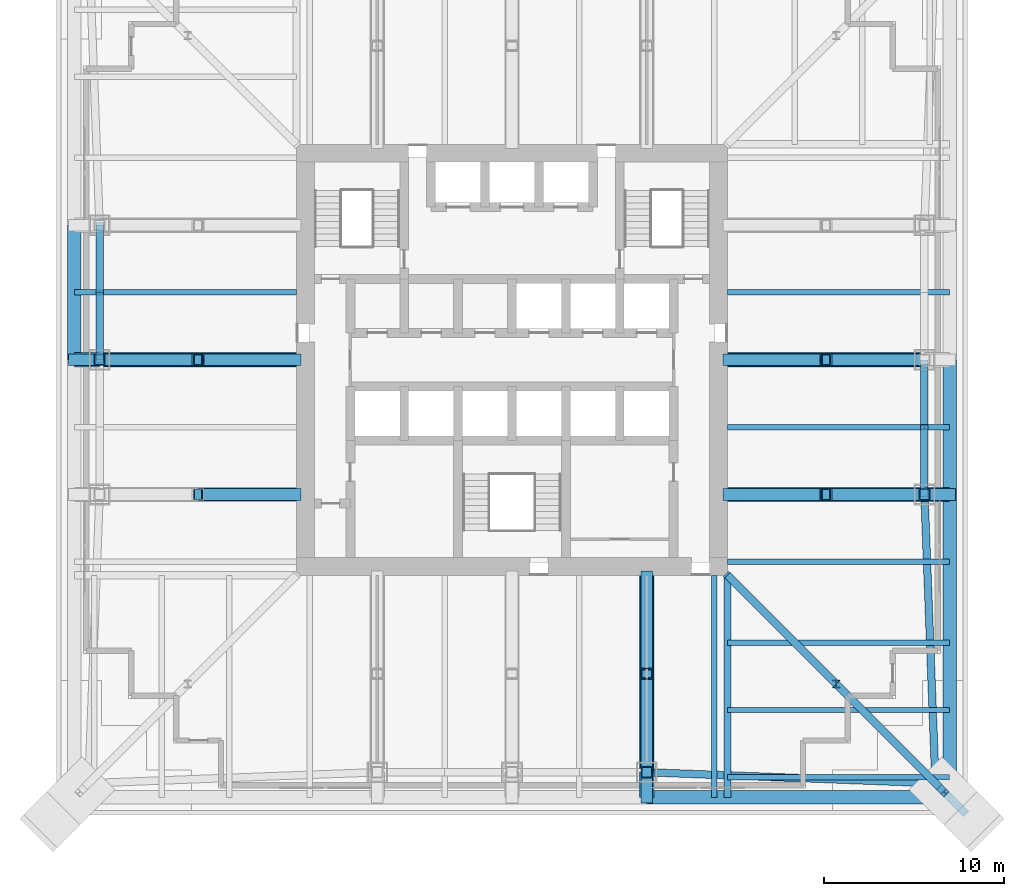
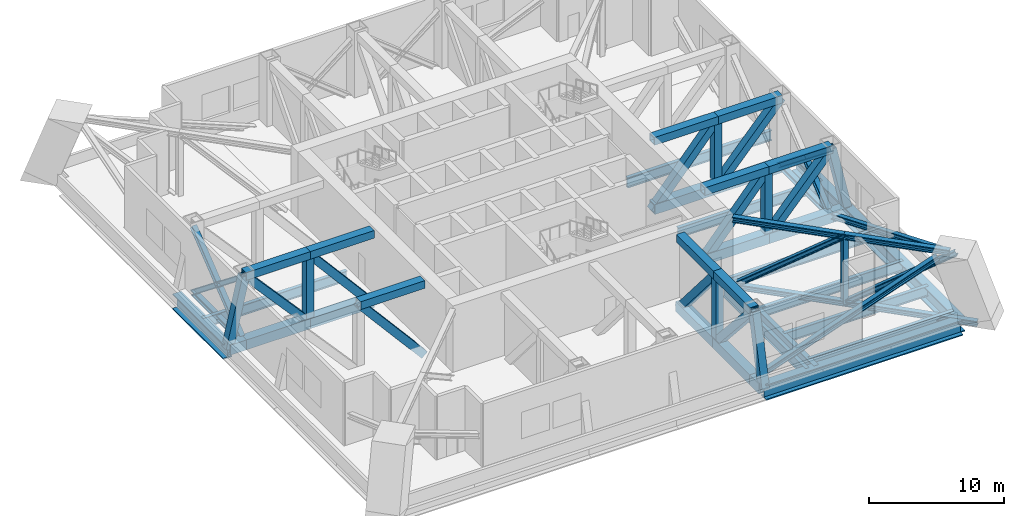
# One storey, part 2 of 10: 54 members, 13 beams.
"""IFC4 building model written with IfcOpenShell, lengths in metres."""

import ifcopenshell
import ifcopenshell.guid

model = None  # the IFC model being written
_history = None  # IfcOwnerHistory: only IFC2X3 demands one
_inside = {}  # id of a spatial element -> (the spatial element, [elements in it])
_under = {}  # id of a project, library or spatial element -> (it, [spatial elements below it])
_declared = {}  # id of a project -> (the project, [libraries it declares])
_typed = {}  # id of a type object -> (the type object, [elements of that type])
_made_of = {}  # id of a material, layer set ... -> (it, [elements and type objects made of it])


def new_model(schema):
    """Start an empty IFC model of exactly this schema.

    Asked for "IFC4X3", IfcOpenShell would pick the latest addendum, in which some entities
    have other attributes; the version numbers below select the first issue.
    IFC2X3 requires an IfcOwnerHistory on every rooted entity: one is made here for all.
    """
    global model, _history
    if schema == "IFC4X3":
        model = ifcopenshell.file(schema_version=(4, 3, 0, 0))
    else:
        model = ifcopenshell.file(schema=schema)
    _inside.clear()
    _under.clear()
    _declared.clear()
    _typed.clear()
    _made_of.clear()
    _history = None
    if model.schema == "IFC2X3":
        org = make("IfcOrganization", Name="unknown")
        user = make(
            "IfcPersonAndOrganization",
            ThePerson=make("IfcPerson", FamilyName="unknown"),
            TheOrganization=org,
        )
        app = make(
            "IfcApplication",
            ApplicationDeveloper=org,
            Version="unknown",
            ApplicationFullName="unknown",
            ApplicationIdentifier="unknown",
        )
        _history = make(
            "IfcOwnerHistory",
            OwningUser=user,
            OwningApplication=app,
            ChangeAction="ADDED",
            CreationDate=0,
        )
    return model


def make(cls, **values):
    """One entity of the class cls with the attributes given. An attribute that is None is left unset."""
    return model.create_entity(
        cls, **{name: value for name, value in values.items() if value is not None}
    )


def rooted(cls, **values):
    """An entity with a GlobalId (a new one), such as an element, a storey or a relation."""
    return make(cls, GlobalId=ifcopenshell.guid.new(), OwnerHistory=_history, **values)


def si_unit(unit_type, name, prefix=None):
    """IfcSIUnit, for example si_unit("LENGTHUNIT", "METRE", prefix="MILLI")."""
    return make("IfcSIUnit", UnitType=unit_type, Prefix=prefix, Name=name)


def assignment(units):
    """IfcUnitAssignment: the units of a project."""
    return None if units is None else make("IfcUnitAssignment", Units=units)


def point(xyz):
    """IfcCartesianPoint."""
    return None if xyz is None else make("IfcCartesianPoint", Coordinates=xyz)


def direction(xyz):
    """IfcDirection."""
    return None if xyz is None else make("IfcDirection", DirectionRatios=xyz)


def frame(location, z_axis=None, x_axis=None):
    """IfcAxis2Placement3D, a coordinate frame: its origin and axes. An axis left out is left unset."""
    return make(
        "IfcAxis2Placement3D",
        Location=point(location),
        Axis=direction(z_axis),
        RefDirection=direction(x_axis),
    )


def frame_2d(location, x_axis=None):
    """IfcAxis2Placement2D, a coordinate frame in the plane: its origin and x axis."""
    return make(
        "IfcAxis2Placement2D", Location=point(location), RefDirection=direction(x_axis)
    )


def origin():
    """The frame at (0, 0, 0) with its axes left unset."""
    return frame((0.0, 0.0, 0.0))


def origin_2d():
    """The frame at (0, 0) in the plane with its x axis left unset."""
    return frame_2d((0.0, 0.0))


def place(relative_to, where):
    """IfcLocalPlacement: puts the frame where relative to a parent placement (None: the world)."""
    return make(
        "IfcLocalPlacement", PlacementRelTo=relative_to, RelativePlacement=where
    )


def context(
    kind, dimensions, precision=None, world=None, true_north=None, identifier=None
):
    """IfcGeometricRepresentationContext, for example the 3D "Model" context."""
    return make(
        "IfcGeometricRepresentationContext",
        ContextIdentifier=identifier,
        ContextType=kind,
        CoordinateSpaceDimension=dimensions,
        Precision=precision,
        WorldCoordinateSystem=world,
        TrueNorth=true_north,
    )


def subcontext(parent, identifier, kind, view, scale=None):
    """IfcGeometricRepresentationSubContext, for example "Body" below "Model"."""
    return make(
        "IfcGeometricRepresentationSubContext",
        ContextIdentifier=identifier,
        ContextType=kind,
        ParentContext=parent,
        TargetScale=scale,
        TargetView=view,
    )


def project(units=None, contexts=None):
    """IfcProject with its units and contexts."""
    return rooted(
        "IfcProject",
        Name="project",
        RepresentationContexts=contexts,
        UnitsInContext=assignment(units),
    )


def spatial(cls, under=None, at=None, **own):
    """A site, building, storey or space (cls), placed at a placement, below another one or the project."""
    s = rooted(cls, ObjectPlacement=at, **own)
    if under is not None:
        _under.setdefault(under.id(), (under, []))[1].append(s)
    return s


def profile(cls, at=None, kind="AREA", **sizes):
    """A parametric profile (cls). Its sizes go by their IFC names, for example OverallWidth=200.0."""
    return make(cls, ProfileType=kind, Position=at, **sizes)


def hollow_rectangle(**sizes):
    """IfcRectangleHollowProfileDef."""
    return profile("IfcRectangleHollowProfileDef", **sizes)


def i_section(**sizes):
    """IfcIShapeProfileDef."""
    return profile("IfcIShapeProfileDef", **sizes)


def extrude(swept, where, along, depth):
    """IfcExtrudedAreaSolid: the profile swept, set in the frame where, extruded along a direction by depth."""
    return make(
        "IfcExtrudedAreaSolid",
        SweptArea=swept,
        Position=where,
        ExtrudedDirection=direction(along),
        Depth=depth,
    )


def clip(a, b, op="DIFFERENCE"):
    """IfcBooleanClippingResult: the solid a cut by the half space b."""
    return make(
        "IfcBooleanClippingResult", Operator=op, FirstOperand=a, SecondOperand=b
    )


def halfspace(plane, agree):
    """IfcHalfSpaceSolid: all space on one side of the plane z = 0 of the frame plane."""
    return make(
        "IfcHalfSpaceSolid",
        BaseSurface=make("IfcPlane", Position=plane),
        AgreementFlag=agree,
    )


def shape(context_of_items, identifier, shape_type, items):
    """IfcShapeRepresentation: the items that make up one representation, for example the "Body"."""
    return make(
        "IfcShapeRepresentation",
        ContextOfItems=context_of_items,
        RepresentationIdentifier=identifier,
        RepresentationType=shape_type,
        Items=items,
    )


def material(Name=None, Category=None):
    """IfcMaterial."""
    return make("IfcMaterial", Name=Name, Category=Category)


def material_profile(
    of_material, cross_section, Name=None, Category=None, Priority=None
):
    """IfcMaterialProfile: a cross section and its material."""
    return make(
        "IfcMaterialProfile",
        Name=Name,
        Material=of_material,
        Profile=cross_section,
        Priority=Priority,
        Category=Category,
    )


def profile_set(profiles, Name=None, composite=None):
    """IfcMaterialProfileSet."""
    return make(
        "IfcMaterialProfileSet",
        Name=Name,
        MaterialProfiles=profiles,
        CompositeProfile=composite,
    )


def made_of(thing, what):
    """Note that an element or type object is made of a material, layer set ...; save() writes the relation."""
    if what is not None:
        _made_of.setdefault(what.id(), (what, []))[1].append(thing)
    return thing


def type_object(cls, material=None, **own):
    """A type object (cls), such as IfcWallType, which elements share."""
    return made_of(rooted(cls, **own), material)


def element(
    cls,
    number,
    at=None,
    inside=None,
    cuts=None,
    type_object=None,
    material=None,
    context=None,
    identifier="Body",
    shape_type=None,
    held_by="IfcProductDefinitionShape",
    body=None,
    shapes=None,
    **own,
):
    """One element of the class cls, such as IfcWall. Its Tag is "e" and its number.

    at: its placement. inside: the storey or other place that contains it. cuts: it is an
    opening in that element (IfcRelVoidsElement). A single representation is given by context,
    identifier, shape_type and body (its items); several are given by shapes. held_by: the class
    of the entity that holds the representations. save() writes the other relations.
    """
    e = rooted(cls, Tag="e%d" % number, ObjectPlacement=at, **own)
    if body is not None:
        shapes = [shape(context, identifier, shape_type, body)]
    if shapes is not None:
        e.Representation = make(held_by, Representations=shapes)
    if inside is not None:
        _inside.setdefault(inside.id(), (inside, []))[1].append(e)
    if cuts is not None:
        rooted(
            "IfcRelVoidsElement", RelatingBuildingElement=cuts, RelatedOpeningElement=e
        )
    if type_object is not None:
        _typed.setdefault(type_object.id(), (type_object, []))[1].append(e)
    return made_of(e, material)


def aggregate(whole, parts):
    """IfcRelAggregates: a whole, such as a stair, and the parts it consists of."""
    return rooted("IfcRelAggregates", RelatingObject=whole, RelatedObjects=parts)


def save(model, path):
    """Write the relations noted so far, then the file.

    IfcRelAggregates (storeys below a building ...), IfcRelContainedInSpatialStructure (elements
    in a storey), IfcRelDefinesByType, IfcRelAssociatesMaterial and IfcRelDeclares: one each for
    every whole, place, type object, material and project.
    """
    for whole, parts in _under.values():
        aggregate(whole, parts)
    for where, things in _inside.values():
        rooted(
            "IfcRelContainedInSpatialStructure",
            RelatedElements=things,
            RelatingStructure=where,
        )
    for kind, things in _typed.values():
        rooted("IfcRelDefinesByType", RelatedObjects=things, RelatingType=kind)
    for what, things in _made_of.values():
        rooted("IfcRelAssociatesMaterial", RelatedObjects=things, RelatingMaterial=what)
    for by, libraries in _declared.values():
        rooted("IfcRelDeclares", RelatingContext=by, RelatedDefinitions=libraries)
    model.write(path)


model = new_model("IFC4")

# Units and contexts
model_context = context("Model", 3, precision=1e-05, world=origin(), true_north=direction((0.0, 1.0)))
body_context = subcontext(model_context, "Body", "Model", "MODEL_VIEW")
ifc_project = project(units=[si_unit("LENGTHUNIT", "METRE"), si_unit("AREAUNIT", "SQUARE_METRE"), si_unit("VOLUMEUNIT", "CUBIC_METRE"), si_unit("PLANEANGLEUNIT", "RADIAN"), si_unit("MASSUNIT", "GRAM", prefix="KILO")], contexts=[model_context])

# Site, building, storey
site_placement = place(None, origin())
site = spatial("IfcSite", under=ifc_project, at=site_placement, CompositionType="ELEMENT")
building_placement = place(site_placement, origin())
building = spatial("IfcBuilding", under=site, at=building_placement, Name="Tarangal Relay Tower", CompositionType="ELEMENT")
storey_placement = place(building_placement, frame((0.0, 0.0, 98.39990234375)))
storey = spatial("IfcBuildingStorey", under=building, at=storey_placement, Name="L19", CompositionType="ELEMENT", Elevation=98.39990234375)

# Members
ifc_material_1 = material(Name="Steel ASTM A992", Category="steel")
ifc_material_profile_1 = material_profile(ifc_material_1, i_section(OverallWidth=0.419189453125, OverallDepth=0.45458984375, WebThickness=0.042236328125, FlangeThickness=0.067626953125, at=origin_2d()), Name="W14X370")
ifc_profile_set_1 = profile_set([ifc_material_profile_1], Name="Steel ASTM A992")
member_type_1 = type_object("IfcMemberType", Name="Belt truss brace W14X370", PredefinedType="BRACE", material=ifc_profile_set_1)
for number, where, z_axis, x_axis, name in (
    (1, (22.965087890625, 0.0, -0.699951171875), (0.0, -0.782630390083, 0.622486684612), (1.0, 0.0, 0.0), "Belt truss E L19 brace"),
    (2, (22.965087890625, -3.75, 2.28271484375), (0.0, -0.782630390083, 0.622486684612), (1.0, 0.0, 0.0), "Belt truss E L19 brace"),
    (3, (22.965087890625, -7.5, -0.699951171875), (0.0, 0.782630390083, 0.622486684612), (-1.0, 0.0, 0.0), "Belt truss E L19 brace"),
):
    element("IfcMember", number, at=place(storey_placement, frame(where, z_axis=z_axis, x_axis=x_axis)), inside=storey, type_object=member_type_1, Name=name, PredefinedType="BRACE", context=body_context, shape_type="SweptSolid", body=[
        extrude(i_section(OverallWidth=0.419189453125, OverallDepth=0.45458984375, WebThickness=0.042236328125, FlangeThickness=0.067626953125, at=origin_2d()), origin(), (0.0, 0.0, 1.0), 4.79150390625),
    ])
for number, where, z_axis, x_axis, name in (
    (4, (22.965087890625, -7.5, -0.699951171875), (0.035497655661, -0.931502338088, 0.36199904776), (0.999274681512, 0.038080321546, 0.0), "Belt truss E L19 end brace"),
    (5, (7.5, -22.965087890625, -0.699951171875), (0.931502338088, -0.035497655661, 0.36199904776), (0.038080321546, 0.999274681512, 0.0), "Belt truss S L19 end brace"),
):
    element("IfcMember", number, at=place(storey_placement, frame(where, z_axis=z_axis, x_axis=x_axis)), inside=storey, type_object=member_type_1, Name=name, PredefinedType="BRACE", context=body_context, shape_type="SweptSolid", body=[
        extrude(i_section(OverallWidth=0.419189453125, OverallDepth=0.45458984375, WebThickness=0.042236328125, FlangeThickness=0.067626953125, at=origin_2d()), origin(), (0.0, 0.0, 1.0), 16.478759765625),
    ])
for number, where, z_axis, x_axis, name in (
    (6, (-22.965087890625, 0.0, -0.699951171875), (0.0, 0.782630390083, 0.622486684612), (-1.0, 0.0, 0.0), "Belt truss W L19 brace"),
    (7, (-22.965087890625, 3.75, 2.28271484375), (0.0, 0.782630390083, 0.622486684612), (-1.0, 0.0, 0.0), "Belt truss W L19 brace"),
    (8, (-22.965087890625, 7.5, -0.699951171875), (0.0, -0.782630390083, 0.622486684612), (1.0, 0.0, 0.0), "Belt truss W L19 brace"),
    (9, (-22.965087890625, 3.75, 2.28271484375), (0.0, -0.782630390083, 0.622486684612), (1.0, 0.0, 0.0), "Belt truss W L19 brace"),
):
    element("IfcMember", number, at=place(storey_placement, frame(where, z_axis=z_axis, x_axis=x_axis)), inside=storey, type_object=member_type_1, Name=name, PredefinedType="BRACE", context=body_context, shape_type="SweptSolid", body=[
        extrude(i_section(OverallWidth=0.419189453125, OverallDepth=0.45458984375, WebThickness=0.042236328125, FlangeThickness=0.067626953125, at=origin_2d()), origin(), (0.0, 0.0, 1.0), 4.79150390625),
    ])
ifc_material_profile_2 = material_profile(ifc_material_1, i_section(OverallWidth=0.421630859375, OverallDepth=0.46484375, WebThickness=0.044921875, FlangeThickness=0.072509765625, at=origin_2d()), Name="W14X398")
ifc_profile_set_2 = profile_set([ifc_material_profile_2], Name="Steel ASTM A992")
member_type_2 = type_object("IfcMemberType", Name="Belt truss chord W14X398", PredefinedType="CHORD", material=ifc_profile_set_2)
for number, where, z_axis, x_axis, name in (
    (10, (22.965087890625, 0.0, -0.699951171875), (0.0, -1.0, 0.0), (1.0, 0.0, 0.0), "Belt truss E L19 bottom chord"),
    (11, (-22.965087890625, 0.0, -0.699951171875), (0.0, 1.0, 0.0), (-1.0, 0.0, 0.0), "Belt truss W L19 bottom chord"),
):
    element("IfcMember", number, at=place(storey_placement, frame(where, z_axis=z_axis, x_axis=x_axis)), inside=storey, type_object=member_type_2, Name=name, PredefinedType="CHORD", context=body_context, shape_type="SweptSolid", body=[
        extrude(i_section(OverallWidth=0.421630859375, OverallDepth=0.46484375, WebThickness=0.044921875, FlangeThickness=0.072509765625, at=origin_2d()), origin(), (0.0, 0.0, 1.0), 7.5),
    ])

# Beams
ifc_material_profile_3 = material_profile(ifc_material_1, i_section(OverallWidth=0.3046875, OverallDepth=0.911865234375, WebThickness=0.015869140625, FlangeThickness=0.02392578125, at=origin_2d()), Name="W36X150")
ifc_profile_set_3 = profile_set([ifc_material_profile_3], Name="Steel ASTM A992")
beam_type_1 = type_object("IfcBeamType", Name="Corner beam W36X150", PredefinedType="JOIST", material=ifc_profile_set_3)
for number, where, z_axis, x_axis, name in (
    (12, (12.0, -15.75, -0.705810546875), (1.0, 0.0, 0.0), (0.0, 1.0, 0.0), "Corner beam CB7 E L19"),
    (13, (12.0, -19.5, -0.705810546875), (1.0, 0.0, 0.0), (0.0, 1.0, 0.0), "Corner beam CB7 E L19"),
    (14, (12.0, -23.25, -0.705810546875), (1.0, 0.0, 0.0), (0.0, 1.0, 0.0), "Corner beam CB7 E L19"),
):
    element("IfcBeam", number, at=place(storey_placement, frame(where, z_axis=z_axis, x_axis=x_axis)), inside=storey, type_object=beam_type_1, Name=name, PredefinedType="JOIST", context=body_context, shape_type="SweptSolid", body=[
        extrude(i_section(OverallWidth=0.3046875, OverallDepth=0.911865234375, WebThickness=0.015869140625, FlangeThickness=0.02392578125, at=origin_2d()), origin(), (0.0, 0.0, 1.0), 12.364990234375),
    ])
ifc_material_profile_4 = material_profile(ifc_material_1, i_section(OverallWidth=0.40380859375, OverallDepth=1.036376953125, WebThickness=0.031005859375, FlangeThickness=0.0458984375, at=origin_2d()), Name="W40X331")
ifc_profile_set_4 = profile_set([ifc_material_profile_4], Name="Steel ASTM A992")
beam_type_2 = type_object("IfcBeamType", Name="Corner girder W40X331", PredefinedType="BEAM", material=ifc_profile_set_4)
beam_1_placement = place(storey_placement, frame((12.0, -12.0, -0.76806640625), z_axis=(0.0, -1.0, 0.0), x_axis=(1.0, 0.0, 0.0)))
element("IfcBeam", 15, at=beam_1_placement, inside=storey, type_object=beam_type_2, Name="Corner girder CG2 E L19", PredefinedType="BEAM", context=body_context, shape_type="SweptSolid", body=[
    extrude(i_section(OverallWidth=0.40380859375, OverallDepth=1.036376953125, WebThickness=0.031005859375, FlangeThickness=0.0458984375, at=origin_2d()), origin(), (0.0, 0.0, 1.0), 12.364990234375),
])
ifc_material_2 = material(Name="Steel ASTM A572 Grade 50", Category="steel")
ifc_material_profile_5 = material_profile(ifc_material_2, i_section(OverallWidth=0.75, OverallDepth=1.39990234375, WebThickness=0.030029296875, FlangeThickness=0.10009765625, at=origin_2d()), Name="PG1400X750X100X30")
ifc_profile_set_5 = profile_set([ifc_material_profile_5], Name="Steel ASTM A572 Grade 50")
beam_type_3 = type_object("IfcBeamType", Name="Edge girder PG1400X750X100X30", PredefinedType="SPANDREL", material=ifc_profile_set_5)
beam_2_placement = place(storey_placement, frame((24.364990234375, 0.0, -0.949951171875), z_axis=(0.0, -1.0, 0.0), x_axis=(1.0, 0.0, 0.0)))
element("IfcBeam", 16, at=beam_2_placement, inside=storey, type_object=beam_type_3, Name="Edge girder EG11 E L19", PredefinedType="SPANDREL", context=body_context, shape_type="SweptSolid", body=[
    extrude(i_section(OverallWidth=0.75, OverallDepth=1.39990234375, WebThickness=0.030029296875, FlangeThickness=0.10009765625, at=origin_2d()), origin(), (0.0, 0.0, 1.0), 7.5),
])
for number, where, z_axis, x_axis, name in (
    (17, (24.364990234375, -7.5, -0.949951171875), (0.0, -1.0, 0.0), (1.0, 0.0, 0.0), "Edge girder EG11 E L19"),
    (18, (24.35009765625, -24.364990234375, -0.949951171875), (-1.0, 0.0, 0.0), (0.0, -1.0, 0.0), "Edge girder EG11 S L19"),
):
    element("IfcBeam", number, at=place(storey_placement, frame(where, z_axis=z_axis, x_axis=x_axis)), inside=storey, type_object=beam_type_3, Name=name, PredefinedType="SPANDREL", context=body_context, shape_type="SweptSolid", body=[
        extrude(i_section(OverallWidth=0.75, OverallDepth=1.39990234375, WebThickness=0.030029296875, FlangeThickness=0.10009765625, at=origin_2d()), origin(), (0.0, 0.0, 1.0), 16.85009765625),
    ])
beam_3_placement = place(storey_placement, frame((-24.364990234375, 0.0, -0.949951171875), z_axis=(0.0, 1.0, 0.0), x_axis=(-1.0, 0.0, 0.0)))
element("IfcBeam", 19, at=beam_3_placement, inside=storey, type_object=beam_type_3, Name="Edge girder EG11 W L19", PredefinedType="SPANDREL", context=body_context, shape_type="SweptSolid", body=[
    extrude(i_section(OverallWidth=0.75, OverallDepth=1.39990234375, WebThickness=0.030029296875, FlangeThickness=0.10009765625, at=origin_2d()), origin(), (0.0, 0.0, 1.0), 7.5),
])
ifc_material_profile_6 = material_profile(ifc_material_1, i_section(OverallWidth=0.307373046875, OverallDepth=0.927001953125, WebThickness=0.019287109375, FlangeThickness=0.031982421875, at=origin_2d()), Name="W36X194")
ifc_profile_set_6 = profile_set([ifc_material_profile_6], Name="Steel ASTM A992")
beam_type_4 = type_object("IfcBeamType", Name="Floor beam W36X194", PredefinedType="BEAM", material=ifc_profile_set_6)
for number, where, z_axis, x_axis, name in (
    (20, (12.0, 3.75, -0.71337890625), (1.0, 0.0, 0.0), (0.0, 1.0, 0.0), "Floor beam RB6 E L19"),
    (21, (12.0, -3.75, -0.71337890625), (1.0, 0.0, 0.0), (0.0, 1.0, 0.0), "Floor beam RB6 E L19"),
    (22, (12.0, -11.25, -0.71337890625), (1.0, 0.0, 0.0), (0.0, 1.0, 0.0), "Floor beam RB6 E L19"),
    (23, (11.25, -12.0, -0.71337890625), (0.0, -1.0, 0.0), (1.0, 0.0, 0.0), "Floor beam RB6 S L19"),
    (24, (-12.0, 3.75, -0.71337890625), (-1.0, 0.0, 0.0), (0.0, -1.0, 0.0), "Floor beam RB6 W L19"),
):
    element("IfcBeam", number, at=place(storey_placement, frame(where, z_axis=z_axis, x_axis=x_axis)), inside=storey, type_object=beam_type_4, Name=name, PredefinedType="BEAM", context=body_context, shape_type="SweptSolid", body=[
        extrude(i_section(OverallWidth=0.307373046875, OverallDepth=0.927001953125, WebThickness=0.019287109375, FlangeThickness=0.031982421875, at=origin_2d()), origin(), (0.0, 0.0, 1.0), 12.364990234375),
    ])

# Members
ifc_material_profile_7 = material_profile(ifc_material_1, i_section(OverallWidth=0.4267578125, OverallDepth=0.482666015625, WebThickness=0.05126953125, FlangeThickness=0.08154296875, at=origin_2d()), Name="W14X455")
ifc_profile_set_7 = profile_set([ifc_material_profile_7], Name="Steel ASTM A992")
member_type_3 = type_object("IfcMemberType", Name="Outrigger chord W14X455", PredefinedType="CHORD", material=ifc_profile_set_7)
member_1_placement = place(storey_placement, frame((12.0, -12.0, -0.4912109375), z_axis=(0.707106781187, -0.707106781187, 0.0), x_axis=(0.707106781187, 0.707106781187, 0.0)))
element("IfcMember", 25, at=member_1_placement, inside=storey, type_object=member_type_3, Name="Outrigger SE L19 bottom chord", PredefinedType="CHORD", context=body_context, shape_type="SweptSolid", body=[
    extrude(i_section(OverallWidth=0.4267578125, OverallDepth=0.482666015625, WebThickness=0.05126953125, FlangeThickness=0.08154296875, at=origin_2d()), origin(), (0.0, 0.0, 1.0), 8.563232421875),
])
member_2_placement = place(storey_placement, frame((18.05517578125, -18.05517578125, -0.4912109375), z_axis=(0.707106781187, -0.707106781187, 0.0), x_axis=(0.707106781187, 0.707106781187, 0.0)))
element("IfcMember", 26, at=member_2_placement, inside=storey, type_object=member_type_3, Name="Outrigger SE L19 bottom chord", PredefinedType="CHORD", context=body_context, shape_type="Clipping", body=[
    clip(extrude(i_section(OverallWidth=0.4267578125, OverallDepth=0.482666015625, WebThickness=0.05126953125, FlangeThickness=0.08154296875, at=origin_2d()), origin(), (0.0, 0.0, 1.0), 10.528564453125), halfspace(frame((0.0, 0.0, 10.23046875)), False)),
])
member_3_placement = place(storey_placement, frame((12.0, -12.0, 5.558837890625), z_axis=(0.707106781187, -0.707106781187, 0.0), x_axis=(0.707106781187, 0.707106781187, 0.0)))
element("IfcMember", 27, at=member_3_placement, inside=storey, type_object=member_type_3, Name="Outrigger SE L19 top chord", PredefinedType="CHORD", context=body_context, shape_type="SweptSolid", body=[
    extrude(i_section(OverallWidth=0.4267578125, OverallDepth=0.482666015625, WebThickness=0.05126953125, FlangeThickness=0.08154296875, at=origin_2d()), origin(), (0.0, 0.0, 1.0), 8.563232421875),
])
member_4_placement = place(storey_placement, frame((18.05517578125, -18.05517578125, 5.558837890625), z_axis=(0.707106781187, -0.707106781187, 0.0), x_axis=(0.707106781187, 0.707106781187, 0.0)))
element("IfcMember", 28, at=member_4_placement, inside=storey, type_object=member_type_3, Name="Outrigger SE L19 top chord", PredefinedType="CHORD", context=body_context, shape_type="Clipping", body=[
    clip(extrude(i_section(OverallWidth=0.4267578125, OverallDepth=0.482666015625, WebThickness=0.05126953125, FlangeThickness=0.08154296875, at=origin_2d()), origin(), (0.0, 0.0, 1.0), 8.563232421875), halfspace(frame((0.0, 0.0, 8.109130859375)), False)),
])
ifc_material_profile_8 = material_profile(ifc_material_1, i_section(OverallWidth=0.41650390625, OverallDepth=0.444580078125, WebThickness=0.0390625, FlangeThickness=0.062744140625, at=origin_2d()), Name="W14X342")
ifc_profile_set_8 = profile_set([ifc_material_profile_8], Name="Steel ASTM A992")
member_type_4 = type_object("IfcMemberType", Name="Outrigger web W14X342", PredefinedType="STRUT", material=ifc_profile_set_8)
member_5_placement = place(storey_placement, frame((18.05517578125, -18.05517578125, -0.4912109375), z_axis=(0.0, 0.0, 1.0), x_axis=(1.0, 0.0, 0.0)))
element("IfcMember", 29, at=member_5_placement, inside=storey, type_object=member_type_4, Name="Outrigger SE L19 vertical", PredefinedType="STRUT", context=body_context, shape_type="SweptSolid", body=[
    extrude(i_section(OverallWidth=0.41650390625, OverallDepth=0.444580078125, WebThickness=0.0390625, FlangeThickness=0.062744140625, at=origin_2d()), origin(), (0.0, 0.0, 1.0), 6.050048828125),
])
for number, where, z_axis, x_axis, name in (
    (30, (12.0, -12.0, -0.4912109375), (0.577513217792, -0.577513217792, 0.577024233937), (0.707106781187, 0.707106781187, 0.0), "Outrigger SE L19 diagonal"),
    (31, (18.05517578125, -18.05517578125, -0.4912109375), (0.577513217792, -0.577513217792, 0.577024233937), (0.707106781187, 0.707106781187, 0.0), "Outrigger SE L19 diagonal"),
):
    element("IfcMember", number, at=place(storey_placement, frame(where, z_axis=z_axis, x_axis=x_axis)), inside=storey, type_object=member_type_4, Name=name, PredefinedType="STRUT", context=body_context, shape_type="SweptSolid", body=[
        extrude(i_section(OverallWidth=0.41650390625, OverallDepth=0.444580078125, WebThickness=0.0390625, FlangeThickness=0.062744140625, at=origin_2d()), origin(), (0.0, 0.0, 1.0), 10.48486328125),
    ])
ifc_material_3 = material(Name="Steel ASTM A572 Grade 42", Category="steel")
ifc_material_profile_9 = material_profile(ifc_material_3, hollow_rectangle(XDim=0.800048828125, YDim=0.89990234375, WallThickness=0.125, at=origin_2d()), Name="BOX900X800X125")
ifc_profile_set_9 = profile_set([ifc_material_profile_9], Name="Steel ASTM A572 Grade 42")
member_type_5 = type_object("IfcMemberType", Name="Transfer truss chord BOX900X800X125", PredefinedType="CHORD", material=ifc_profile_set_9)
member_6_placement = place(storey_placement, frame((12.0, 0.0, -0.699951171875), z_axis=(1.0, 0.0, 0.0), x_axis=(0.0, 1.0, 0.0)))
element("IfcMember", 32, at=member_6_placement, inside=storey, type_object=member_type_5, Name="Transfer truss E +0.0 L19 bottom chord", PredefinedType="CHORD", context=body_context, shape_type="SweptSolid", body=[
    extrude(hollow_rectangle(XDim=0.800048828125, YDim=0.89990234375, WallThickness=0.125, at=origin_2d()), origin(), (0.0, 0.0, 1.0), 5.482421875),
])
member_7_placement = place(storey_placement, frame((17.482421875, 0.0, -0.699951171875), z_axis=(1.0, 0.0, 0.0), x_axis=(0.0, 1.0, 0.0)))
element("IfcMember", 33, at=member_7_placement, inside=storey, type_object=member_type_5, Name="Transfer truss E +0.0 L19 bottom chord", PredefinedType="CHORD", context=body_context, shape_type="SweptSolid", body=[
    extrude(hollow_rectangle(XDim=0.800048828125, YDim=0.89990234375, WallThickness=0.125, at=origin_2d()), origin(), (0.0, 0.0, 1.0), 5.482666015625),
])
member_8_placement = place(storey_placement, frame((12.0, -7.5, -0.699951171875), z_axis=(1.0, 0.0, 0.0), x_axis=(0.0, 1.0, 0.0)))
element("IfcMember", 34, at=member_8_placement, inside=storey, type_object=member_type_5, Name="Transfer truss E +7.5 L19 bottom chord", PredefinedType="CHORD", context=body_context, shape_type="SweptSolid", body=[
    extrude(hollow_rectangle(XDim=0.800048828125, YDim=0.89990234375, WallThickness=0.125, at=origin_2d()), origin(), (0.0, 0.0, 1.0), 5.482421875),
])
member_9_placement = place(storey_placement, frame((17.482421875, -7.5, -0.699951171875), z_axis=(1.0, 0.0, 0.0), x_axis=(0.0, 1.0, 0.0)))
element("IfcMember", 35, at=member_9_placement, inside=storey, type_object=member_type_5, Name="Transfer truss E +7.5 L19 bottom chord", PredefinedType="CHORD", context=body_context, shape_type="SweptSolid", body=[
    extrude(hollow_rectangle(XDim=0.800048828125, YDim=0.89990234375, WallThickness=0.125, at=origin_2d()), origin(), (0.0, 0.0, 1.0), 5.482666015625),
])
member_10_placement = place(storey_placement, frame((22.965087890625, -7.5, -0.699951171875), z_axis=(1.0, 0.0, 0.0), x_axis=(0.0, 1.0, 0.0)))
element("IfcMember", 36, at=member_10_placement, inside=storey, type_object=member_type_5, Name="Transfer truss E +7.5 L19 bottom chord", PredefinedType="CHORD", context=body_context, shape_type="SweptSolid", body=[
    extrude(hollow_rectangle(XDim=0.800048828125, YDim=0.89990234375, WallThickness=0.125, at=origin_2d()), origin(), (0.0, 0.0, 1.0), 1.39990234375),
])
member_11_placement = place(storey_placement, frame((7.5, -12.0, -0.699951171875), z_axis=(0.0, -1.0, 0.0), x_axis=(1.0, 0.0, 0.0)))
element("IfcMember", 37, at=member_11_placement, inside=storey, type_object=member_type_5, Name="Transfer truss S -7.5 L19 bottom chord", PredefinedType="CHORD", context=body_context, shape_type="SweptSolid", body=[
    extrude(hollow_rectangle(XDim=0.800048828125, YDim=0.89990234375, WallThickness=0.125, at=origin_2d()), origin(), (0.0, 0.0, 1.0), 5.482421875),
])
member_12_placement = place(storey_placement, frame((7.5, -17.482421875, -0.699951171875), z_axis=(0.0, -1.0, 0.0), x_axis=(1.0, 0.0, 0.0)))
element("IfcMember", 38, at=member_12_placement, inside=storey, type_object=member_type_5, Name="Transfer truss S -7.5 L19 bottom chord", PredefinedType="CHORD", context=body_context, shape_type="SweptSolid", body=[
    extrude(hollow_rectangle(XDim=0.800048828125, YDim=0.89990234375, WallThickness=0.125, at=origin_2d()), origin(), (0.0, 0.0, 1.0), 5.482666015625),
])
member_13_placement = place(storey_placement, frame((7.5, -22.965087890625, -0.699951171875), z_axis=(0.0, -1.0, 0.0), x_axis=(1.0, 0.0, 0.0)))
element("IfcMember", 39, at=member_13_placement, inside=storey, type_object=member_type_5, Name="Transfer truss S -7.5 L19 bottom chord", PredefinedType="CHORD", context=body_context, shape_type="SweptSolid", body=[
    extrude(hollow_rectangle(XDim=0.800048828125, YDim=0.89990234375, WallThickness=0.125, at=origin_2d()), origin(), (0.0, 0.0, 1.0), 1.39990234375),
])
member_14_placement = place(storey_placement, frame((-12.0, 0.0, -0.699951171875), z_axis=(-1.0, 0.0, 0.0), x_axis=(0.0, -1.0, 0.0)))
element("IfcMember", 40, at=member_14_placement, inside=storey, type_object=member_type_5, Name="Transfer truss W +0.0 L19 bottom chord", PredefinedType="CHORD", context=body_context, shape_type="SweptSolid", body=[
    extrude(hollow_rectangle(XDim=0.800048828125, YDim=0.89990234375, WallThickness=0.125, at=origin_2d()), origin(), (0.0, 0.0, 1.0), 5.482421875),
])
member_15_placement = place(storey_placement, frame((-17.482421875, 0.0, -0.699951171875), z_axis=(-1.0, 0.0, 0.0), x_axis=(0.0, -1.0, 0.0)))
element("IfcMember", 41, at=member_15_placement, inside=storey, type_object=member_type_5, Name="Transfer truss W +0.0 L19 bottom chord", PredefinedType="CHORD", context=body_context, shape_type="SweptSolid", body=[
    extrude(hollow_rectangle(XDim=0.800048828125, YDim=0.89990234375, WallThickness=0.125, at=origin_2d()), origin(), (0.0, 0.0, 1.0), 5.482666015625),
])
member_16_placement = place(storey_placement, frame((-22.965087890625, 0.0, -0.699951171875), z_axis=(-1.0, 0.0, 0.0), x_axis=(0.0, -1.0, 0.0)))
element("IfcMember", 42, at=member_16_placement, inside=storey, type_object=member_type_5, Name="Transfer truss W +0.0 L19 bottom chord", PredefinedType="CHORD", context=body_context, shape_type="SweptSolid", body=[
    extrude(hollow_rectangle(XDim=0.800048828125, YDim=0.89990234375, WallThickness=0.125, at=origin_2d()), origin(), (0.0, 0.0, 1.0), 1.39990234375),
])
ifc_material_profile_10 = material_profile(ifc_material_2, hollow_rectangle(XDim=0.699951171875, YDim=0.699951171875, WallThickness=0.074951171875, at=origin_2d()), Name="BOX700X700X75")
ifc_profile_set_10 = profile_set([ifc_material_profile_10], Name="Steel ASTM A572 Grade 50")
member_type_6 = type_object("IfcMemberType", Name="Transfer truss top chord BOX700X700X75", PredefinedType="CHORD", material=ifc_profile_set_10)
member_17_placement = place(storey_placement, frame((12.0, 0.0, 5.4501953125), z_axis=(1.0, 0.0, 0.0), x_axis=(0.0, 1.0, 0.0)))
element("IfcMember", 43, at=member_17_placement, inside=storey, type_object=member_type_6, Name="Transfer truss E +0.0 L19 top chord", PredefinedType="CHORD", context=body_context, shape_type="SweptSolid", body=[
    extrude(hollow_rectangle(XDim=0.699951171875, YDim=0.699951171875, WallThickness=0.074951171875, at=origin_2d()), origin(), (0.0, 0.0, 1.0), 5.482421875),
])
member_18_placement = place(storey_placement, frame((17.482421875, 0.0, 5.4501953125), z_axis=(1.0, 0.0, 0.0), x_axis=(0.0, 1.0, 0.0)))
element("IfcMember", 44, at=member_18_placement, inside=storey, type_object=member_type_6, Name="Transfer truss E +0.0 L19 top chord", PredefinedType="CHORD", context=body_context, shape_type="SweptSolid", body=[
    extrude(hollow_rectangle(XDim=0.699951171875, YDim=0.699951171875, WallThickness=0.074951171875, at=origin_2d()), origin(), (0.0, 0.0, 1.0), 5.482666015625),
])
member_19_placement = place(storey_placement, frame((12.0, -7.5, 5.4501953125), z_axis=(1.0, 0.0, 0.0), x_axis=(0.0, 1.0, 0.0)))
element("IfcMember", 45, at=member_19_placement, inside=storey, type_object=member_type_6, Name="Transfer truss E +7.5 L19 top chord", PredefinedType="CHORD", context=body_context, shape_type="SweptSolid", body=[
    extrude(hollow_rectangle(XDim=0.699951171875, YDim=0.699951171875, WallThickness=0.074951171875, at=origin_2d()), origin(), (0.0, 0.0, 1.0), 5.482421875),
])
member_20_placement = place(storey_placement, frame((17.482421875, -7.5, 5.4501953125), z_axis=(1.0, 0.0, 0.0), x_axis=(0.0, 1.0, 0.0)))
element("IfcMember", 46, at=member_20_placement, inside=storey, type_object=member_type_6, Name="Transfer truss E +7.5 L19 top chord", PredefinedType="CHORD", context=body_context, shape_type="SweptSolid", body=[
    extrude(hollow_rectangle(XDim=0.699951171875, YDim=0.699951171875, WallThickness=0.074951171875, at=origin_2d()), origin(), (0.0, 0.0, 1.0), 5.482666015625),
])
member_21_placement = place(storey_placement, frame((7.5, -12.0, 5.4501953125), z_axis=(0.0, -1.0, 0.0), x_axis=(1.0, 0.0, 0.0)))
element("IfcMember", 47, at=member_21_placement, inside=storey, type_object=member_type_6, Name="Transfer truss S -7.5 L19 top chord", PredefinedType="CHORD", context=body_context, shape_type="SweptSolid", body=[
    extrude(hollow_rectangle(XDim=0.699951171875, YDim=0.699951171875, WallThickness=0.074951171875, at=origin_2d()), origin(), (0.0, 0.0, 1.0), 5.482421875),
])
member_22_placement = place(storey_placement, frame((7.5, -17.482421875, 5.4501953125), z_axis=(0.0, -1.0, 0.0), x_axis=(1.0, 0.0, 0.0)))
element("IfcMember", 48, at=member_22_placement, inside=storey, type_object=member_type_6, Name="Transfer truss S -7.5 L19 top chord", PredefinedType="CHORD", context=body_context, shape_type="SweptSolid", body=[
    extrude(hollow_rectangle(XDim=0.699951171875, YDim=0.699951171875, WallThickness=0.074951171875, at=origin_2d()), origin(), (0.0, 0.0, 1.0), 5.482666015625),
])
for number, where, z_axis, x_axis, name in (
    (49, (-12.0, -7.5, 5.4501953125), (-1.0, 0.0, 0.0), (0.0, -1.0, 0.0), "Transfer truss W -7.5 L19 top chord"),
    (50, (-12.0, 0.0, 5.4501953125), (-1.0, 0.0, 0.0), (0.0, -1.0, 0.0), "Transfer truss W +0.0 L19 top chord"),
):
    element("IfcMember", number, at=place(storey_placement, frame(where, z_axis=z_axis, x_axis=x_axis)), inside=storey, type_object=member_type_6, Name=name, PredefinedType="CHORD", context=body_context, shape_type="SweptSolid", body=[
        extrude(hollow_rectangle(XDim=0.699951171875, YDim=0.699951171875, WallThickness=0.074951171875, at=origin_2d()), origin(), (0.0, 0.0, 1.0), 5.482421875),
    ])
member_23_placement = place(storey_placement, frame((-17.482421875, 0.0, 5.4501953125), z_axis=(-1.0, 0.0, 0.0), x_axis=(0.0, -1.0, 0.0)))
element("IfcMember", 51, at=member_23_placement, inside=storey, type_object=member_type_6, Name="Transfer truss W +0.0 L19 top chord", PredefinedType="CHORD", context=body_context, shape_type="SweptSolid", body=[
    extrude(hollow_rectangle(XDim=0.699951171875, YDim=0.699951171875, WallThickness=0.074951171875, at=origin_2d()), origin(), (0.0, 0.0, 1.0), 5.482666015625),
])
ifc_material_profile_11 = material_profile(ifc_material_2, hollow_rectangle(XDim=0.64990234375, YDim=0.64990234375, WallThickness=0.06005859375, at=origin_2d()), Name="BOX650X650X60")
ifc_profile_set_11 = profile_set([ifc_material_profile_11], Name="Steel ASTM A572 Grade 50")
member_type_7 = type_object("IfcMemberType", Name="Transfer truss web BOX650X650X60", PredefinedType="STRUT", material=ifc_profile_set_11)
member_24_placement = place(storey_placement, frame((17.482421875, 0.0, -0.25), z_axis=(0.0, 0.0, 1.0), x_axis=(1.0, 0.0, 0.0)))
element("IfcMember", 52, at=member_24_placement, inside=storey, type_object=member_type_7, Name="Transfer truss E +0.0 L19 vertical", PredefinedType="STRUT", context=body_context, shape_type="SweptSolid", body=[
    extrude(hollow_rectangle(XDim=0.64990234375, YDim=0.64990234375, WallThickness=0.06005859375, at=origin_2d()), origin(), (0.0, 0.0, 1.0), 5.7001953125),
])
member_25_placement = place(storey_placement, frame((12.0, 0.0, -0.963623046875), z_axis=(0.649756611165, 0.0, 0.760142319732), x_axis=(0.0, 1.0, 0.0)))
element("IfcMember", 53, at=member_25_placement, inside=storey, type_object=member_type_7, Name="Transfer truss E +0.0 L19 diagonal", PredefinedType="STRUT", context=body_context, shape_type="SweptSolid", body=[
    extrude(hollow_rectangle(XDim=0.64990234375, YDim=0.64990234375, WallThickness=0.06005859375, at=origin_2d()), origin(), (0.0, 0.0, 1.0), 8.437744140625),
])
member_26_placement = place(storey_placement, frame((17.482421875, 0.0, -0.699951171875), z_axis=(0.665439087688, 0.0, 0.746452155584), x_axis=(0.0, 1.0, 0.0)))
element("IfcMember", 54, at=member_26_placement, inside=storey, type_object=member_type_7, Name="Transfer truss E +0.0 L19 diagonal", PredefinedType="STRUT", context=body_context, shape_type="SweptSolid", body=[
    extrude(hollow_rectangle(XDim=0.64990234375, YDim=0.64990234375, WallThickness=0.06005859375, at=origin_2d()), origin(), (0.0, 0.0, 1.0), 8.2392578125),
])
member_27_placement = place(storey_placement, frame((17.482421875, -7.5, -0.25), z_axis=(0.0, 0.0, 1.0), x_axis=(1.0, 0.0, 0.0)))
element("IfcMember", 55, at=member_27_placement, inside=storey, type_object=member_type_7, Name="Transfer truss E +7.5 L19 vertical", PredefinedType="STRUT", context=body_context, shape_type="SweptSolid", body=[
    extrude(hollow_rectangle(XDim=0.64990234375, YDim=0.64990234375, WallThickness=0.06005859375, at=origin_2d()), origin(), (0.0, 0.0, 1.0), 5.7001953125),
])
member_28_placement = place(storey_placement, frame((12.0, -7.5, -0.963623046875), z_axis=(0.649756611165, 0.0, 0.760142319732), x_axis=(0.0, 1.0, 0.0)))
element("IfcMember", 56, at=member_28_placement, inside=storey, type_object=member_type_7, Name="Transfer truss E +7.5 L19 diagonal", PredefinedType="STRUT", context=body_context, shape_type="SweptSolid", body=[
    extrude(hollow_rectangle(XDim=0.64990234375, YDim=0.64990234375, WallThickness=0.06005859375, at=origin_2d()), origin(), (0.0, 0.0, 1.0), 8.437744140625),
])
member_29_placement = place(storey_placement, frame((17.482421875, -7.5, -0.699951171875), z_axis=(0.665439087688, 0.0, 0.746452155584), x_axis=(0.0, 1.0, 0.0)))
element("IfcMember", 57, at=member_29_placement, inside=storey, type_object=member_type_7, Name="Transfer truss E +7.5 L19 diagonal", PredefinedType="STRUT", context=body_context, shape_type="SweptSolid", body=[
    extrude(hollow_rectangle(XDim=0.64990234375, YDim=0.64990234375, WallThickness=0.06005859375, at=origin_2d()), origin(), (0.0, 0.0, 1.0), 8.2392578125),
])
member_30_placement = place(storey_placement, frame((24.364990234375, -7.5, -0.699951171875), z_axis=(-0.221943976449, 0.0, 0.975059419378), x_axis=(0.0, -1.0, 0.0)))
element("IfcMember", 58, at=member_30_placement, inside=storey, type_object=member_type_7, Name="Transfer truss E +7.5 L19 end diagonal", PredefinedType="STRUT", context=body_context, shape_type="SweptSolid", body=[
    extrude(hollow_rectangle(XDim=0.64990234375, YDim=0.64990234375, WallThickness=0.06005859375, at=origin_2d()), origin(), (0.0, 0.0, 1.0), 6.307373046875),
])
member_31_placement = place(storey_placement, frame((7.5, -17.482421875, -0.25), z_axis=(0.0, 0.0, 1.0), x_axis=(1.0, 0.0, 0.0)))
element("IfcMember", 59, at=member_31_placement, inside=storey, type_object=member_type_7, Name="Transfer truss S -7.5 L19 vertical", PredefinedType="STRUT", context=body_context, shape_type="SweptSolid", body=[
    extrude(hollow_rectangle(XDim=0.64990234375, YDim=0.64990234375, WallThickness=0.06005859375, at=origin_2d()), origin(), (0.0, 0.0, 1.0), 5.7001953125),
])
member_32_placement = place(storey_placement, frame((7.5, -12.0, -0.963623046875), z_axis=(0.0, -0.649756611165, 0.760142319732), x_axis=(1.0, 0.0, 0.0)))
element("IfcMember", 60, at=member_32_placement, inside=storey, type_object=member_type_7, Name="Transfer truss S -7.5 L19 diagonal", PredefinedType="STRUT", context=body_context, shape_type="SweptSolid", body=[
    extrude(hollow_rectangle(XDim=0.64990234375, YDim=0.64990234375, WallThickness=0.06005859375, at=origin_2d()), origin(), (0.0, 0.0, 1.0), 8.437744140625),
])
member_33_placement = place(storey_placement, frame((7.5, -17.482421875, -0.699951171875), z_axis=(0.0, -0.665439087688, 0.746452155584), x_axis=(1.0, 0.0, 0.0)))
element("IfcMember", 61, at=member_33_placement, inside=storey, type_object=member_type_7, Name="Transfer truss S -7.5 L19 diagonal", PredefinedType="STRUT", context=body_context, shape_type="SweptSolid", body=[
    extrude(hollow_rectangle(XDim=0.64990234375, YDim=0.64990234375, WallThickness=0.06005859375, at=origin_2d()), origin(), (0.0, 0.0, 1.0), 8.2392578125),
])
member_34_placement = place(storey_placement, frame((7.5, -24.364990234375, -0.699951171875), z_axis=(0.0, 0.221943976449, 0.975059419378), x_axis=(-1.0, 0.0, 0.0)))
element("IfcMember", 62, at=member_34_placement, inside=storey, type_object=member_type_7, Name="Transfer truss S -7.5 L19 end diagonal", PredefinedType="STRUT", context=body_context, shape_type="SweptSolid", body=[
    extrude(hollow_rectangle(XDim=0.64990234375, YDim=0.64990234375, WallThickness=0.06005859375, at=origin_2d()), origin(), (0.0, 0.0, 1.0), 6.307373046875),
])
member_35_placement = place(storey_placement, frame((-12.0, -7.5, -0.963623046875), z_axis=(-0.649756611165, 0.0, 0.760142319732), x_axis=(0.0, -1.0, 0.0)))
element("IfcMember", 63, at=member_35_placement, inside=storey, type_object=member_type_7, Name="Transfer truss W -7.5 L19 diagonal", PredefinedType="STRUT", context=body_context, shape_type="SweptSolid", body=[
    extrude(hollow_rectangle(XDim=0.64990234375, YDim=0.64990234375, WallThickness=0.06005859375, at=origin_2d()), origin(), (0.0, 0.0, 1.0), 8.437744140625),
])
member_36_placement = place(storey_placement, frame((-17.482421875, 0.0, -0.25), z_axis=(0.0, 0.0, 1.0), x_axis=(1.0, 0.0, 0.0)))
element("IfcMember", 64, at=member_36_placement, inside=storey, type_object=member_type_7, Name="Transfer truss W +0.0 L19 vertical", PredefinedType="STRUT", context=body_context, shape_type="SweptSolid", body=[
    extrude(hollow_rectangle(XDim=0.64990234375, YDim=0.64990234375, WallThickness=0.06005859375, at=origin_2d()), origin(), (0.0, 0.0, 1.0), 5.7001953125),
])
member_37_placement = place(storey_placement, frame((-12.0, 0.0, -0.963623046875), z_axis=(-0.649756611165, 0.0, 0.760142319732), x_axis=(0.0, -1.0, 0.0)))
element("IfcMember", 65, at=member_37_placement, inside=storey, type_object=member_type_7, Name="Transfer truss W +0.0 L19 diagonal", PredefinedType="STRUT", context=body_context, shape_type="SweptSolid", body=[
    extrude(hollow_rectangle(XDim=0.64990234375, YDim=0.64990234375, WallThickness=0.06005859375, at=origin_2d()), origin(), (0.0, 0.0, 1.0), 8.437744140625),
])
member_38_placement = place(storey_placement, frame((-17.482421875, 0.0, -0.699951171875), z_axis=(-0.665439087688, 0.0, 0.746452155584), x_axis=(0.0, -1.0, 0.0)))
element("IfcMember", 66, at=member_38_placement, inside=storey, type_object=member_type_7, Name="Transfer truss W +0.0 L19 diagonal", PredefinedType="STRUT", context=body_context, shape_type="SweptSolid", body=[
    extrude(hollow_rectangle(XDim=0.64990234375, YDim=0.64990234375, WallThickness=0.06005859375, at=origin_2d()), origin(), (0.0, 0.0, 1.0), 8.2392578125),
])
member_39_placement = place(storey_placement, frame((-24.364990234375, 0.0, -0.699951171875), z_axis=(0.221943976449, 0.0, 0.975059419378), x_axis=(0.0, 1.0, 0.0)))
element("IfcMember", 67, at=member_39_placement, inside=storey, type_object=member_type_7, Name="Transfer truss W +0.0 L19 end diagonal", PredefinedType="STRUT", context=body_context, shape_type="SweptSolid", body=[
    extrude(hollow_rectangle(XDim=0.64990234375, YDim=0.64990234375, WallThickness=0.06005859375, at=origin_2d()), origin(), (0.0, 0.0, 1.0), 6.307373046875),
])

save(model, "model.ifc")
